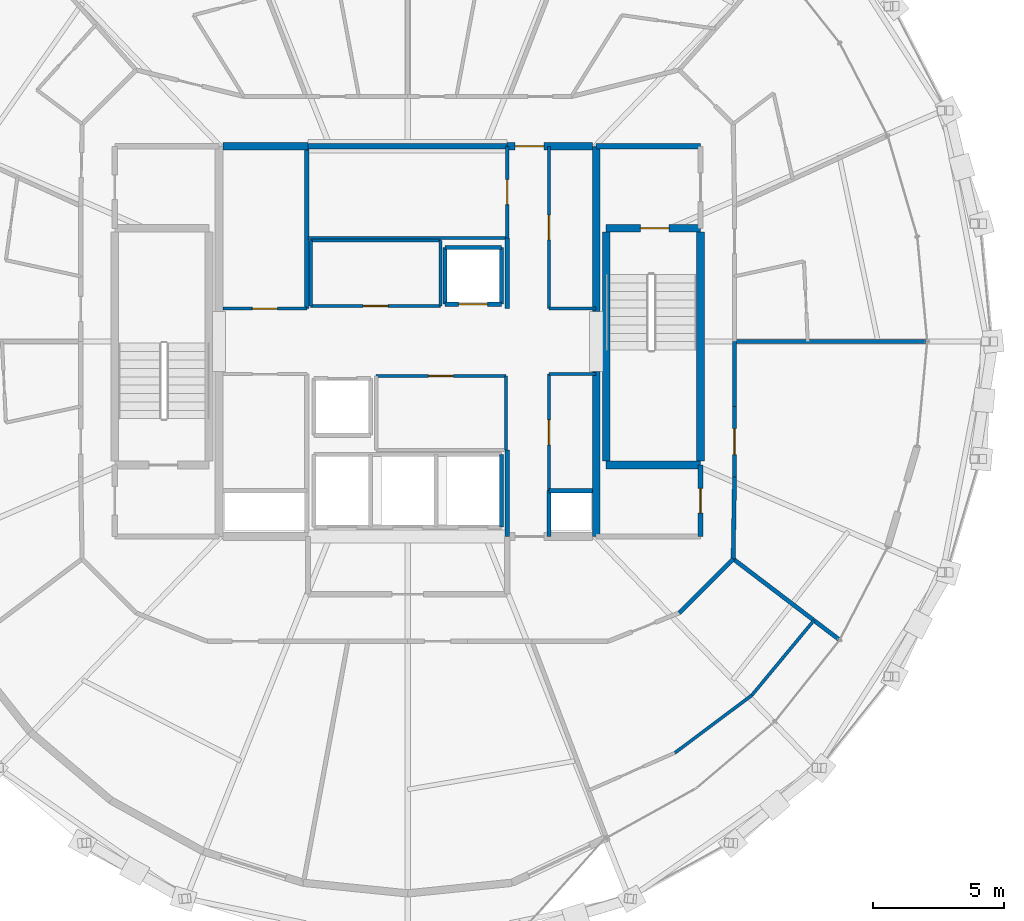
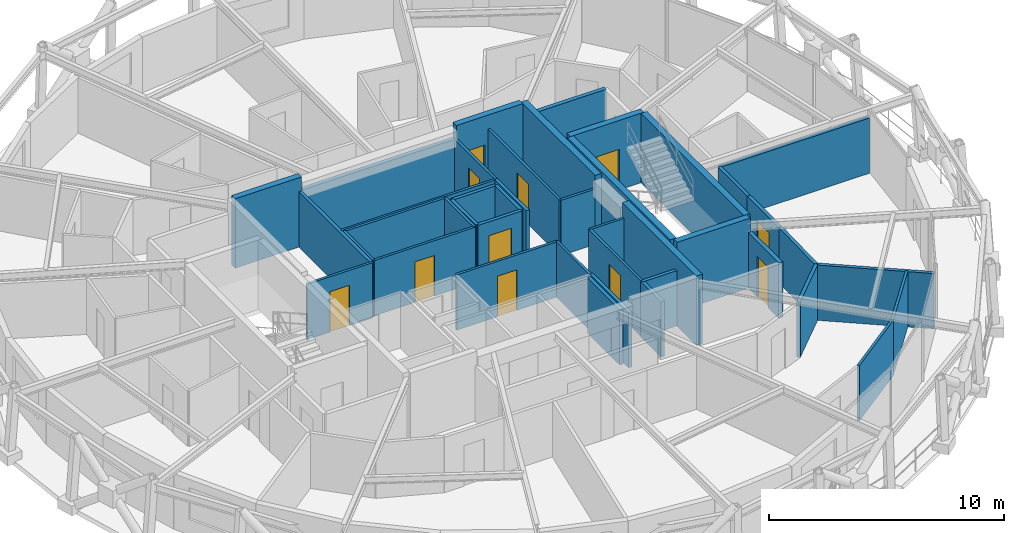
# One storey, part 12 of 15: 42 walls, 11 doors, 11 openings.
"""IFC4 building model written with IfcOpenShell, lengths in metres."""

import ifcopenshell
import ifcopenshell.guid

model = None  # the IFC model being written
_history = None  # IfcOwnerHistory: only IFC2X3 demands one
_inside = {}  # id of a spatial element -> (the spatial element, [elements in it])
_under = {}  # id of a project, library or spatial element -> (it, [spatial elements below it])
_declared = {}  # id of a project -> (the project, [libraries it declares])
_typed = {}  # id of a type object -> (the type object, [elements of that type])
_made_of = {}  # id of a material, layer set ... -> (it, [elements and type objects made of it])


def new_model(schema):
    """Start an empty IFC model of exactly this schema.

    Asked for "IFC4X3", IfcOpenShell would pick the latest addendum, in which some entities
    have other attributes; the version numbers below select the first issue.
    IFC2X3 requires an IfcOwnerHistory on every rooted entity: one is made here for all.
    """
    global model, _history
    if schema == "IFC4X3":
        model = ifcopenshell.file(schema_version=(4, 3, 0, 0))
    else:
        model = ifcopenshell.file(schema=schema)
    _inside.clear()
    _under.clear()
    _declared.clear()
    _typed.clear()
    _made_of.clear()
    _history = None
    if model.schema == "IFC2X3":
        org = make("IfcOrganization", Name="unknown")
        user = make(
            "IfcPersonAndOrganization",
            ThePerson=make("IfcPerson", FamilyName="unknown"),
            TheOrganization=org,
        )
        app = make(
            "IfcApplication",
            ApplicationDeveloper=org,
            Version="unknown",
            ApplicationFullName="unknown",
            ApplicationIdentifier="unknown",
        )
        _history = make(
            "IfcOwnerHistory",
            OwningUser=user,
            OwningApplication=app,
            ChangeAction="ADDED",
            CreationDate=0,
        )
    return model


def make(cls, **values):
    """One entity of the class cls with the attributes given. An attribute that is None is left unset."""
    return model.create_entity(
        cls, **{name: value for name, value in values.items() if value is not None}
    )


def rooted(cls, **values):
    """An entity with a GlobalId (a new one), such as an element, a storey or a relation."""
    return make(cls, GlobalId=ifcopenshell.guid.new(), OwnerHistory=_history, **values)


def si_unit(unit_type, name, prefix=None):
    """IfcSIUnit, for example si_unit("LENGTHUNIT", "METRE", prefix="MILLI")."""
    return make("IfcSIUnit", UnitType=unit_type, Prefix=prefix, Name=name)


def assignment(units):
    """IfcUnitAssignment: the units of a project."""
    return None if units is None else make("IfcUnitAssignment", Units=units)


def point(xyz):
    """IfcCartesianPoint."""
    return None if xyz is None else make("IfcCartesianPoint", Coordinates=xyz)


def direction(xyz):
    """IfcDirection."""
    return None if xyz is None else make("IfcDirection", DirectionRatios=xyz)


def frame(location, z_axis=None, x_axis=None):
    """IfcAxis2Placement3D, a coordinate frame: its origin and axes. An axis left out is left unset."""
    return make(
        "IfcAxis2Placement3D",
        Location=point(location),
        Axis=direction(z_axis),
        RefDirection=direction(x_axis),
    )


def frame_2d(location, x_axis=None):
    """IfcAxis2Placement2D, a coordinate frame in the plane: its origin and x axis."""
    return make(
        "IfcAxis2Placement2D", Location=point(location), RefDirection=direction(x_axis)
    )


def origin():
    """The frame at (0, 0, 0) with its axes left unset."""
    return frame((0.0, 0.0, 0.0))


def place(relative_to, where):
    """IfcLocalPlacement: puts the frame where relative to a parent placement (None: the world)."""
    return make(
        "IfcLocalPlacement", PlacementRelTo=relative_to, RelativePlacement=where
    )


def context(
    kind, dimensions, precision=None, world=None, true_north=None, identifier=None
):
    """IfcGeometricRepresentationContext, for example the 3D "Model" context."""
    return make(
        "IfcGeometricRepresentationContext",
        ContextIdentifier=identifier,
        ContextType=kind,
        CoordinateSpaceDimension=dimensions,
        Precision=precision,
        WorldCoordinateSystem=world,
        TrueNorth=true_north,
    )


def subcontext(parent, identifier, kind, view, scale=None):
    """IfcGeometricRepresentationSubContext, for example "Body" below "Model"."""
    return make(
        "IfcGeometricRepresentationSubContext",
        ContextIdentifier=identifier,
        ContextType=kind,
        ParentContext=parent,
        TargetScale=scale,
        TargetView=view,
    )


def project(units=None, contexts=None):
    """IfcProject with its units and contexts."""
    return rooted(
        "IfcProject",
        Name="project",
        RepresentationContexts=contexts,
        UnitsInContext=assignment(units),
    )


def spatial(cls, under=None, at=None, **own):
    """A site, building, storey or space (cls), placed at a placement, below another one or the project."""
    s = rooted(cls, ObjectPlacement=at, **own)
    if under is not None:
        _under.setdefault(under.id(), (under, []))[1].append(s)
    return s


def profile(cls, at=None, kind="AREA", **sizes):
    """A parametric profile (cls). Its sizes go by their IFC names, for example OverallWidth=200.0."""
    return make(cls, ProfileType=kind, Position=at, **sizes)


def rectangle(**sizes):
    """IfcRectangleProfileDef."""
    return profile("IfcRectangleProfileDef", **sizes)


def extrude(swept, where, along, depth):
    """IfcExtrudedAreaSolid: the profile swept, set in the frame where, extruded along a direction by depth."""
    return make(
        "IfcExtrudedAreaSolid",
        SweptArea=swept,
        Position=where,
        ExtrudedDirection=direction(along),
        Depth=depth,
    )


def shape(context_of_items, identifier, shape_type, items):
    """IfcShapeRepresentation: the items that make up one representation, for example the "Body"."""
    return make(
        "IfcShapeRepresentation",
        ContextOfItems=context_of_items,
        RepresentationIdentifier=identifier,
        RepresentationType=shape_type,
        Items=items,
    )


def material(Name=None, Category=None):
    """IfcMaterial."""
    return make("IfcMaterial", Name=Name, Category=Category)


def layer(
    of_material, thickness, ventilated=None, Name=None, Category=None, Priority=None
):
    """IfcMaterialLayer: one layer of a wall or slab, of a material (None: an air gap)."""
    return make(
        "IfcMaterialLayer",
        Material=of_material,
        LayerThickness=thickness,
        IsVentilated=ventilated,
        Name=Name,
        Category=Category,
        Priority=Priority,
    )


def layer_set(layers, Name=None):
    """IfcMaterialLayerSet."""
    return make("IfcMaterialLayerSet", MaterialLayers=layers, LayerSetName=Name)


def made_of(thing, what):
    """Note that an element or type object is made of a material, layer set ...; save() writes the relation."""
    if what is not None:
        _made_of.setdefault(what.id(), (what, []))[1].append(thing)
    return thing


def type_object(cls, material=None, **own):
    """A type object (cls), such as IfcWallType, which elements share."""
    return made_of(rooted(cls, **own), material)


def element(
    cls,
    number,
    at=None,
    inside=None,
    cuts=None,
    type_object=None,
    material=None,
    context=None,
    identifier="Body",
    shape_type=None,
    held_by="IfcProductDefinitionShape",
    body=None,
    shapes=None,
    **own,
):
    """One element of the class cls, such as IfcWall. Its Tag is "e" and its number.

    at: its placement. inside: the storey or other place that contains it. cuts: it is an
    opening in that element (IfcRelVoidsElement). A single representation is given by context,
    identifier, shape_type and body (its items); several are given by shapes. held_by: the class
    of the entity that holds the representations. save() writes the other relations.
    """
    e = rooted(cls, Tag="e%d" % number, ObjectPlacement=at, **own)
    if body is not None:
        shapes = [shape(context, identifier, shape_type, body)]
    if shapes is not None:
        e.Representation = make(held_by, Representations=shapes)
    if inside is not None:
        _inside.setdefault(inside.id(), (inside, []))[1].append(e)
    if cuts is not None:
        rooted(
            "IfcRelVoidsElement", RelatingBuildingElement=cuts, RelatedOpeningElement=e
        )
    if type_object is not None:
        _typed.setdefault(type_object.id(), (type_object, []))[1].append(e)
    return made_of(e, material)


def fill(opening, filler):
    """IfcRelFillsElement: the door or window that sits in an opening."""
    return rooted(
        "IfcRelFillsElement",
        RelatingOpeningElement=opening,
        RelatedBuildingElement=filler,
    )


def aggregate(whole, parts):
    """IfcRelAggregates: a whole, such as a stair, and the parts it consists of."""
    return rooted("IfcRelAggregates", RelatingObject=whole, RelatedObjects=parts)


def save(model, path):
    """Write the relations noted so far, then the file.

    IfcRelAggregates (storeys below a building ...), IfcRelContainedInSpatialStructure (elements
    in a storey), IfcRelDefinesByType, IfcRelAssociatesMaterial and IfcRelDeclares: one each for
    every whole, place, type object, material and project.
    """
    for whole, parts in _under.values():
        aggregate(whole, parts)
    for where, things in _inside.values():
        rooted(
            "IfcRelContainedInSpatialStructure",
            RelatedElements=things,
            RelatingStructure=where,
        )
    for kind, things in _typed.values():
        rooted("IfcRelDefinesByType", RelatedObjects=things, RelatingType=kind)
    for what, things in _made_of.values():
        rooted("IfcRelAssociatesMaterial", RelatedObjects=things, RelatingMaterial=what)
    for by, libraries in _declared.values():
        rooted("IfcRelDeclares", RelatingContext=by, RelatedDefinitions=libraries)
    model.write(path)


model = new_model("IFC4")

# Units and contexts
model_context = context("Model", 3, precision=1e-05, world=origin(), true_north=direction((0.0, 1.0)))
body_context = subcontext(model_context, "Body", "Model", "MODEL_VIEW")
ifc_project = project(units=[si_unit("LENGTHUNIT", "METRE"), si_unit("AREAUNIT", "SQUARE_METRE"), si_unit("VOLUMEUNIT", "CUBIC_METRE"), si_unit("PLANEANGLEUNIT", "RADIAN"), si_unit("MASSUNIT", "GRAM", prefix="KILO")], contexts=[model_context])

# Site, building, storey
site_placement = place(None, origin())
site = spatial("IfcSite", under=ifc_project, at=site_placement, CompositionType="ELEMENT")
building_placement = place(site_placement, origin())
building = spatial("IfcBuilding", under=site, at=building_placement, Name="Veldorina Hangang Commons", CompositionType="ELEMENT")
storey_placement = place(building_placement, frame((0.0, 0.0, 258.0)))
storey = spatial("IfcBuildingStorey", under=building, at=storey_placement, Name="L67", CompositionType="ELEMENT", Elevation=258.0)

# Walls
ifc_material_1 = material(Name="Concrete C50/60", Category="concrete")
ifc_layer_1 = layer(ifc_material_1, 0.300048828125)
ifc_layer_set_1 = layer_set([ifc_layer_1], Name="Concrete C50/60")
wall_type_1 = type_object("IfcWallType", Name="CW-RC300-C50", PredefinedType="SHEAR", material=ifc_layer_set_1)
for number, where, z_axis, x_axis, name in (
    (1, (39.199951171875, 16.550048828125, 0.0), (0.0, 0.0, 1.0), (0.0, 1.0, 0.0), "L67 E south core shear wall"),
    (2, (39.199951171875, 25.14990234375, 0.0), (0.0, 0.0, 1.0), (0.0, 1.0, 0.0), "L67 E north core shear wall"),
):
    element("IfcWall", number, at=place(storey_placement, frame(where, z_axis=z_axis, x_axis=x_axis)), inside=storey, type_object=wall_type_1, Name=name, PredefinedType="SHEAR", context=body_context, shape_type="SweptSolid", body=[
        extrude(rectangle(XDim=6.300048828125, YDim=0.300048828125, at=frame_2d((3.14990234375, 0.0))), origin(), (0.0, 0.0, 1.0), 3.60009765625),
    ])
wall_1_placement = place(storey_placement, frame((24.949951171875, 31.449951171875, 0.0), z_axis=(0.0, 0.0, 1.0), x_axis=(1.0, 0.0, 0.0)))
element("IfcWall", 3, at=wall_1_placement, inside=storey, type_object=wall_type_1, Name="L67 north-west core shear wall", PredefinedType="SHEAR", context=body_context, shape_type="SweptSolid", body=[
    extrude(rectangle(XDim=3.25, YDim=0.300048828125, at=frame_2d((1.625, 0.0))), origin(), (0.0, 0.0, 1.0), 3.60009765625),
])

# Wall, opening, door
wall_2_placement = place(storey_placement, frame((35.800048828125, 31.449951171875, 0.0), z_axis=(0.0, 0.0, 1.0), x_axis=(1.0, 0.0, 0.0)))
wall_2 = element("IfcWall", 4, at=wall_2_placement, inside=storey, type_object=wall_type_1, Name="L67 north-east core shear wall", PredefinedType="SHEAR", context=body_context, shape_type="SweptSolid", body=[
    extrude(rectangle(XDim=3.25, YDim=0.300048828125, at=frame_2d((1.625, 0.0))), origin(), (0.0, 0.0, 1.0), 3.60009765625),
])
opening_1_placement = place(wall_2_placement, frame((0.300048828125, 0.0, 0.0)))
opening_1 = element("IfcOpeningElement", 5, at=opening_1_placement, cuts=wall_2, Name="Opening D-08", PredefinedType="OPENING", context=body_context, shape_type="SweptSolid", body=[
    extrude(rectangle(XDim=1.10009765625, YDim=2.10009765625, at=frame_2d((0.550048828125, 1.050048828125))), frame((0.0, 0.16015625, 0.0), z_axis=(0.0, -1.0, 0.0), x_axis=(1.0, 0.0, 0.0)), (0.0, 0.0, 1.0), 0.320068359375),
])
ifc_material_2 = material(Name="Steel Fire-Rated Smoke Seal", Category="steel")
door_type_1 = type_object("IfcDoorType", Name="DR-FIRE-1100", OperationType="SINGLE_SWING_RIGHT", PredefinedType="DOOR", material=ifc_material_2)
door_1_placement = place(opening_1_placement, origin())
door_1 = element("IfcDoor", 6, at=door_1_placement, inside=storey, type_object=door_type_1, Name="L67 central lift lobby north corridor door", OperationType="SINGLE_SWING_LEFT", OverallHeight=2.10009765625, OverallWidth=1.10009765625, PredefinedType="DOOR", context=body_context, shape_type="SweptSolid", body=[
    extrude(rectangle(XDim=1.10009765625, YDim=2.10009765625, at=frame_2d((0.550048828125, 1.050048828125))), frame((0.0, 0.02490234375, 0.0), z_axis=(0.0, -1.0, 0.0), x_axis=(1.0, 0.0, 0.0)), (0.0, 0.0, 1.0), 0.050048828125),
])
fill(opening_1, door_1)

# Walls
ifc_layer_2 = layer(ifc_material_1, 0.300048828125)
ifc_layer_set_2 = layer_set([ifc_layer_2], Name="Concrete C50/60")
wall_type_2 = type_object("IfcWallType", Name="SW-STAIR-300", PredefinedType="SHEAR", material=ifc_layer_set_2)
for number, where, z_axis, x_axis, name in (
    (7, (43.179931640625, 19.429931640625, 0.0), (0.0, 0.0, 1.0), (0.0, 1.0, 0.0), "L67 ST2 outer stair shear wall"),
    (8, (39.580078125, 19.429931640625, 0.0), (0.0, 0.0, 1.0), (0.0, 1.0, 0.0), "L67 ST2 inner stair shear wall"),
):
    element("IfcWall", number, at=place(storey_placement, frame(where, z_axis=z_axis, x_axis=x_axis)), inside=storey, type_object=wall_type_2, Name=name, PredefinedType="SHEAR", context=body_context, shape_type="SweptSolid", body=[
        extrude(rectangle(XDim=8.739990234375, YDim=0.300048828125, at=frame_2d((4.3701171875, 0.0))), origin(), (0.0, 0.0, 1.0), 3.60009765625),
    ])
wall_3_placement = place(storey_placement, frame((39.580078125, 19.280029296875, 0.0), z_axis=(0.0, 0.0, 1.0), x_axis=(1.0, 0.0, 0.0)))
element("IfcWall", 9, at=wall_3_placement, inside=storey, type_object=wall_type_2, Name="L67 ST2 south stair shear wall", PredefinedType="SHEAR", context=body_context, shape_type="SweptSolid", body=[
    extrude(rectangle(XDim=3.599853515625, YDim=0.300048828125, at=frame_2d((1.7998046875, 0.0))), origin(), (0.0, 0.0, 1.0), 3.60009765625),
])

# Wall, opening, door
wall_4_placement = place(storey_placement, frame((39.580078125, 28.320068359375, 0.0), z_axis=(0.0, 0.0, 1.0), x_axis=(1.0, 0.0, 0.0)))
wall_4 = element("IfcWall", 10, at=wall_4_placement, inside=storey, type_object=wall_type_2, Name="L67 ST2 north stair shear wall", PredefinedType="SHEAR", context=body_context, shape_type="SweptSolid", body=[
    extrude(rectangle(XDim=3.599853515625, YDim=0.300048828125, at=frame_2d((1.7998046875, 0.0))), origin(), (0.0, 0.0, 1.0), 3.60009765625),
])
opening_2_placement = place(wall_4_placement, frame((1.300048828125, 0.0, 0.0)))
opening_2 = element("IfcOpeningElement", 11, at=opening_2_placement, cuts=wall_4, Name="Opening D-08", PredefinedType="OPENING", context=body_context, shape_type="SweptSolid", body=[
    extrude(rectangle(XDim=1.10009765625, YDim=2.10009765625, at=frame_2d((0.550048828125, 1.050048828125))), frame((0.0, 0.16015625, 0.0), z_axis=(0.0, -1.0, 0.0), x_axis=(1.0, 0.0, 0.0)), (0.0, 0.0, 1.0), 0.320068359375),
])
door_2_placement = place(opening_2_placement, origin())
door_2 = element("IfcDoor", 12, at=door_2_placement, inside=storey, type_object=door_type_1, Name="L67 Special Escape Stair ST-2 door", OperationType="SINGLE_SWING_RIGHT", OverallHeight=2.10009765625, OverallWidth=1.10009765625, PredefinedType="DOOR", context=body_context, shape_type="SweptSolid", body=[
    extrude(rectangle(XDim=1.10009765625, YDim=2.10009765625, at=frame_2d((0.550048828125, 1.050048828125))), frame((0.0, 0.02490234375, 0.0), z_axis=(0.0, -1.0, 0.0), x_axis=(1.0, 0.0, 0.0)), (0.0, 0.0, 1.0), 0.050048828125),
])
fill(opening_2, door_2)

# Walls
ifc_material_3 = material(Name="Gypsum Fire-Rated Twin Stud Wall", Category="gypsum")
ifc_layer_3 = layer(ifc_material_3, 0.159912109375)
ifc_layer_set_3 = layer_set([ifc_layer_3], Name="Gypsum Fire-Rated Twin Stud Wall")
wall_type_3 = type_object("IfcWallType", Name="WL-FIRE-160", PredefinedType="SOLIDWALL", material=ifc_layer_set_3)
wall_5_placement = place(storey_placement, frame((35.800048828125, 16.550048828125, 0.0), z_axis=(0.0, 0.0, 1.0), x_axis=(0.0, 1.0, 0.0)))
element("IfcWall", 13, at=wall_5_placement, inside=storey, type_object=wall_type_3, Name="L67 Lift passage SW wall 009", PredefinedType="SOLIDWALL", context=body_context, shape_type="SweptSolid", body=[
    extrude(rectangle(XDim=3.300048828125, YDim=0.159912109375, at=frame_2d((1.64990234375, 0.0))), origin(), (0.0, 0.0, 1.0), 2.8701171875),
])
wall_6_placement = place(storey_placement, frame((37.39990234375, 16.550048828125, 0.0), z_axis=(0.0, 0.0, 1.0), x_axis=(0.0, 1.0, 0.0)))
element("IfcWall", 14, at=wall_6_placement, inside=storey, type_object=wall_type_3, Name="L67 Lift passage SE stub 010", PredefinedType="SOLIDWALL", context=body_context, shape_type="SweptSolid", body=[
    extrude(rectangle(XDim=1.75, YDim=0.159912109375, at=frame_2d((0.875, 0.0))), origin(), (0.0, 0.0, 1.0), 2.8701171875),
])
wall_7_placement = place(storey_placement, frame((35.800048828125, 25.25, 0.0), z_axis=(0.0, 0.0, 1.0), x_axis=(0.0, 1.0, 0.0)))
element("IfcWall", 15, at=wall_7_placement, inside=storey, type_object=wall_type_3, Name="L67 Lift passage NW lower wall 011", PredefinedType="SOLIDWALL", context=body_context, shape_type="SweptSolid", body=[
    extrude(rectangle(XDim=2.699951171875, YDim=0.159912109375, at=frame_2d((1.35009765625, 0.0))), origin(), (0.0, 0.0, 1.0), 2.8701171875),
])

# Wall, opening, door
wall_8_placement = place(storey_placement, frame((33.419921875, 25.419921875, 0.0), z_axis=(0.0, 0.0, 1.0), x_axis=(1.0, 0.0, 0.0)))
wall_8 = element("IfcWall", 16, at=wall_8_placement, inside=storey, type_object=wall_type_3, Name="L67 Mid-high front shaft wall 015", PredefinedType="SOLIDWALL", context=body_context, shape_type="SweptSolid", body=[
    extrude(rectangle(XDim=2.16015625, YDim=0.159912109375, at=frame_2d((1.080078125, 0.0))), origin(), (0.0, 0.0, 1.0), 2.8701171875),
])
opening_3_placement = place(wall_8_placement, frame((0.530029296875, 0.0, 0.0)))
opening_3 = element("IfcOpeningElement", 17, at=opening_3_placement, cuts=wall_8, Name="Opening LD-01", PredefinedType="OPENING", context=body_context, shape_type="SweptSolid", body=[
    extrude(rectangle(XDim=1.10009765625, YDim=2.14990234375, at=frame_2d((0.550048828125, 1.074951171875))), frame((0.0, 0.08984375, 0.0), z_axis=(0.0, -1.0, 0.0), x_axis=(1.0, 0.0, 0.0)), (0.0, 0.0, 1.0), 0.179931640625),
])
ifc_material_4 = material(Name="Stainless Steel Brushed Lift Door", Category="steel")
door_type_2 = type_object("IfcDoorType", Name="DR-LIFT-1100", OperationType="SLIDING_TO_LEFT", PredefinedType="DOOR", material=ifc_material_4)
door_3_placement = place(opening_3_placement, origin())
door_3 = element("IfcDoor", 18, at=door_3_placement, inside=storey, type_object=door_type_2, Name="L67 Lift PL-H1 landing door 006", OperationType="SLIDING_TO_RIGHT", OverallHeight=2.14990234375, OverallWidth=1.10009765625, PredefinedType="DOOR", context=body_context, shape_type="SweptSolid", body=[
    extrude(rectangle(XDim=1.10009765625, YDim=2.14990234375, at=frame_2d((0.550048828125, 1.074951171875))), frame((0.0, 0.02490234375, 0.0), z_axis=(0.0, -1.0, 0.0), x_axis=(1.0, 0.0, 0.0)), (0.0, 0.0, 1.0), 0.050048828125),
])
fill(opening_3, door_3)

# Walls
for number, where, z_axis, x_axis, name in (
    (19, (33.419921875, 27.580078125, 0.0), (0.0, 0.0, 1.0), (1.0, 0.0, 0.0), "L67 Mid-high rear shaft wall 016"),
    (20, (33.419921875, 25.419921875, 0.0), (0.0, 0.0, 1.0), (0.0, 1.0, 0.0), "L67 PL-H1 west shaft wall 017"),
    (21, (35.580078125, 25.419921875, 0.0), (0.0, 0.0, 1.0), (0.0, 1.0, 0.0), "L67 PL-H1 east shaft wall 018"),
):
    element("IfcWall", number, at=place(storey_placement, frame(where, z_axis=z_axis, x_axis=x_axis)), inside=storey, type_object=wall_type_3, Name=name, PredefinedType="SOLIDWALL", context=body_context, shape_type="SweptSolid", body=[
        extrude(rectangle(XDim=2.16015625, YDim=0.159912109375, at=frame_2d((1.080078125, 0.0))), origin(), (0.0, 0.0, 1.0), 2.8701171875),
    ])
wall_9_placement = place(storey_placement, frame((35.580078125, 16.919921875, 0.0), z_axis=(0.0, 0.0, 1.0), x_axis=(0.0, 1.0, 0.0)))
element("IfcWall", 22, at=wall_9_placement, inside=storey, type_object=wall_type_3, Name="L67 EVL-1 east shaft wall 028", PredefinedType="SOLIDWALL", context=body_context, shape_type="SweptSolid", body=[
    extrude(rectangle(XDim=2.760009765625, YDim=0.159912109375, at=frame_2d((1.3798828125, 0.0))), origin(), (0.0, 0.0, 1.0), 2.8701171875),
])
wall_10_placement = place(storey_placement, frame((37.39990234375, 18.300048828125, 0.0), z_axis=(0.0, 0.0, 1.0), x_axis=(1.0, 0.0, 0.0)))
element("IfcWall", 23, at=wall_10_placement, inside=storey, type_object=wall_type_3, Name="L67 Plumbing riser wall 042", PredefinedType="SOLIDWALL", context=body_context, shape_type="SweptSolid", body=[
    extrude(rectangle(XDim=1.650146484375, YDim=0.159912109375, at=frame_2d((0.8251953125, 0.0))), origin(), (0.0, 0.0, 1.0), 2.8701171875),
])
wall_11_placement = place(storey_placement, frame((28.14990234375, 25.25, 0.0), z_axis=(0.0, 0.0, 1.0), x_axis=(0.0, 1.0, 0.0)))
element("IfcWall", 24, at=wall_11_placement, inside=storey, type_object=wall_type_3, Name="L67 NW core inner wall 043", PredefinedType="SOLIDWALL", context=body_context, shape_type="SweptSolid", body=[
    extrude(rectangle(XDim=6.10009765625, YDim=0.159912109375, at=frame_2d((3.050048828125, 0.0))), origin(), (0.0, 0.0, 1.0), 2.8701171875),
])
wall_12_placement = place(storey_placement, frame((42.364990234375, 13.635009765625, 0.0), z_axis=(0.0, 0.0, 1.0), x_axis=(0.707106781187, 0.707106781187, 0.0)))
element("IfcWall", 25, at=wall_12_placement, inside=storey, type_object=wall_type_3, Name="L67 Compact collar outer wall 28 078", PredefinedType="SOLIDWALL", context=body_context, shape_type="SweptSolid", body=[
    extrude(rectangle(XDim=2.915771484375, YDim=0.159912109375, at=frame_2d((1.4580078125, 0.0))), origin(), (0.0, 0.0, 1.0), 2.8701171875),
])
wall_13_placement = place(storey_placement, frame((44.4267578125, 15.69677734375, 0.0), z_axis=(0.0, 0.0, 1.0), x_axis=(0.016981035134, 0.999855811828, 0.0)))
element("IfcWall", 26, at=wall_13_placement, inside=storey, type_object=wall_type_3, Name="L67 Compact collar outer wall 29 079", PredefinedType="SOLIDWALL", context=body_context, shape_type="SweptSolid", body=[
    extrude(rectangle(XDim=3.13427734375, YDim=0.159912109375, at=frame_2d((1.567138671875, 0.0))), origin(), (0.0, 0.0, 1.0), 2.8701171875),
])

# Wall, opening, door
wall_14_placement = place(storey_placement, frame((44.47998046875, 18.83056640625, 0.0), z_axis=(0.0, 0.0, 1.0), x_axis=(0.0, 1.0, 0.0)))
wall_14 = element("IfcWall", 27, at=wall_14_placement, inside=storey, type_object=wall_type_3, Name="L67 Compact collar outer wall 30 080", PredefinedType="SOLIDWALL", context=body_context, shape_type="SweptSolid", body=[
    extrude(rectangle(XDim=2.68701171875, YDim=0.159912109375, at=frame_2d((1.343505859375, 0.0))), origin(), (0.0, 0.0, 1.0), 2.8701171875),
])
opening_4_placement = place(wall_14_placement, frame((0.843505859375, 0.0, 0.0)))
opening_4 = element("IfcOpeningElement", 28, at=opening_4_placement, cuts=wall_14, Name="Opening D-05", PredefinedType="OPENING", context=body_context, shape_type="SweptSolid", body=[
    extrude(rectangle(XDim=1.0, YDim=2.10009765625, at=frame_2d((0.5, 1.050048828125))), frame((0.0, 0.08984375, 0.0), z_axis=(0.0, -1.0, 0.0), x_axis=(1.0, 0.0, 0.0)), (0.0, 0.0, 1.0), 0.179931640625),
])
ifc_material_5 = material(Name="Timber Solid Core Acoustic", Category="wood")
door_type_3 = type_object("IfcDoorType", Name="DR-INT-1000", OperationType="SINGLE_SWING_RIGHT", PredefinedType="DOOR", material=ifc_material_5)
door_4_placement = place(opening_4_placement, origin())
door_4 = element("IfcDoor", 29, at=door_4_placement, inside=storey, type_object=door_type_3, Name="L67 Sky-Garden Commons Lounge door 018", OperationType="SINGLE_SWING_RIGHT", OverallHeight=2.10009765625, OverallWidth=1.0, PredefinedType="DOOR", context=body_context, shape_type="SweptSolid", body=[
    extrude(rectangle(XDim=1.0, YDim=2.10009765625, at=frame_2d((0.5, 1.050048828125))), frame((0.0, 0.02490234375, 0.0), z_axis=(0.0, -1.0, 0.0), x_axis=(1.0, 0.0, 0.0)), (0.0, 0.0, 1.0), 0.050048828125),
])
fill(opening_4, door_4)

# Walls
wall_15_placement = place(storey_placement, frame((44.47998046875, 21.517578125, 0.0), z_axis=(0.0, 0.0, 1.0), x_axis=(0.0, 1.0, 0.0)))
element("IfcWall", 30, at=wall_15_placement, inside=storey, type_object=wall_type_3, Name="L67 Compact collar outer wall 31 081", PredefinedType="SOLIDWALL", context=body_context, shape_type="SweptSolid", body=[
    extrude(rectangle(XDim=2.482421875, YDim=0.159912109375, at=frame_2d((1.2412109375, 0.0))), origin(), (0.0, 0.0, 1.0), 2.8701171875),
])
wall_16_placement = place(storey_placement, frame((44.4267578125, 15.69677734375, 0.0), z_axis=(0.0, 0.0, 1.0), x_axis=(0.795704263552, -0.605685334943, 0.0)))
element("IfcWall", 31, at=wall_16_placement, inside=storey, type_object=wall_type_3, Name="L67 Unit party wall 29 082", PredefinedType="SOLIDWALL", context=body_context, shape_type="SweptSolid", body=[
    extrude(rectangle(XDim=5.05712890625, YDim=0.159912109375, at=frame_2d((2.528564453125, 0.0))), origin(), (0.0, 0.0, 1.0), 2.8701171875),
])
wall_17_placement = place(storey_placement, frame((44.47998046875, 24.0, 0.0), z_axis=(0.0, 0.0, 1.0), x_axis=(1.0, 0.0, 0.0)))
element("IfcWall", 32, at=wall_17_placement, inside=storey, type_object=wall_type_3, Name="L67 Unit party wall 00 083", PredefinedType="SOLIDWALL", context=body_context, shape_type="SweptSolid", body=[
    extrude(rectangle(XDim=7.302734375, YDim=0.159912109375, at=frame_2d((3.6513671875, 0.0))), origin(), (0.0, 0.0, 1.0), 2.8701171875),
])
ifc_material_6 = material(Name="Concrete Blockwork Fire Wall C30/37", Category="masonry")
ifc_layer_4 = layer(ifc_material_6, 0.199951171875)
ifc_layer_set_4 = layer_set([ifc_layer_4], Name="Concrete Blockwork Fire Wall C30/37")
wall_type_4 = type_object("IfcWallType", Name="WL-FIRE-200", PredefinedType="SOLIDWALL", material=ifc_layer_set_4)
wall_18_placement = place(storey_placement, frame((39.199951171875, 31.449951171875, 0.0), z_axis=(0.0, 0.0, 1.0), x_axis=(1.0, 0.0, 0.0)))
element("IfcWall", 33, at=wall_18_placement, inside=storey, type_object=wall_type_4, Name="L67 East vestibule north wall 004", PredefinedType="SOLIDWALL", context=body_context, shape_type="SweptSolid", body=[
    extrude(rectangle(XDim=3.97998046875, YDim=0.199951171875, at=frame_2d((1.989990234375, 0.0))), origin(), (0.0, 0.0, 1.0), 2.8701171875),
])

# Wall, opening, door
wall_19_placement = place(storey_placement, frame((43.179931640625, 16.550048828125, 0.0), z_axis=(0.0, 0.0, 1.0), x_axis=(0.0, 1.0, 0.0)))
wall_19 = element("IfcWall", 34, at=wall_19_placement, inside=storey, type_object=wall_type_4, Name="L67 SE core room outer wall 007", PredefinedType="SOLIDWALL", context=body_context, shape_type="SweptSolid", body=[
    extrude(rectangle(XDim=2.72998046875, YDim=0.199951171875, at=frame_2d((1.364990234375, 0.0))), origin(), (0.0, 0.0, 1.0), 2.8701171875),
])
opening_5_placement = place(wall_19_placement, frame((0.889892578125, 0.0, 0.0)))
opening_5 = element("IfcOpeningElement", 35, at=opening_5_placement, cuts=wall_19, Name="Opening D-02", PredefinedType="OPENING", context=body_context, shape_type="SweptSolid", body=[
    extrude(rectangle(XDim=0.949951171875, YDim=2.10009765625, at=frame_2d((0.47509765625, 1.050048828125))), frame((0.0, 0.10986328125, 0.0), z_axis=(0.0, -1.0, 0.0), x_axis=(1.0, 0.0, 0.0)), (0.0, 0.0, 1.0), 0.219970703125),
])
door_type_4 = type_object("IfcDoorType", Name="DR-INT-950", OperationType="SINGLE_SWING_LEFT", PredefinedType="DOOR", material=ifc_material_5)
door_5_placement = place(opening_5_placement, origin())
door_5 = element("IfcDoor", 36, at=door_5_placement, inside=storey, type_object=door_type_4, Name="L67 SE core WC door 004", OperationType="SINGLE_SWING_RIGHT", OverallHeight=2.10009765625, OverallWidth=0.949951171875, PredefinedType="DOOR", context=body_context, shape_type="SweptSolid", body=[
    extrude(rectangle(XDim=0.949951171875, YDim=2.10009765625, at=frame_2d((0.47509765625, 1.050048828125))), frame((0.0, 0.02490234375, 0.0), z_axis=(0.0, -1.0, 0.0), x_axis=(1.0, 0.0, 0.0)), (0.0, 0.0, 1.0), 0.050048828125),
])
fill(opening_5, door_5)

# Walls
wall_20_placement = place(storey_placement, frame((28.199951171875, 31.449951171875, 0.0), z_axis=(0.0, 0.0, 1.0), x_axis=(1.0, 0.0, 0.0)))
element("IfcWall", 37, at=wall_20_placement, inside=storey, type_object=wall_type_4, Name="L67 Merged north core wall 029", PredefinedType="SOLIDWALL", context=body_context, shape_type="SweptSolid", body=[
    extrude(rectangle(XDim=7.60009765625, YDim=0.199951171875, at=frame_2d((3.800048828125, 0.0))), origin(), (0.0, 0.0, 1.0), 2.8701171875),
])
ifc_material_7 = material(Name="Gypsum Acoustic Stud Partition", Category="gypsum")
ifc_layer_5 = layer(ifc_material_7, 0.1201171875)
ifc_layer_set_5 = layer_set([ifc_layer_5], Name="Gypsum Acoustic Stud Partition")
wall_type_5 = type_object("IfcWallType", Name="WL-PART-120", PredefinedType="PARTITIONING", material=ifc_layer_set_5)
wall_21_placement = place(storey_placement, frame((28.199951171875, 27.949951171875, 0.0), z_axis=(0.0, 0.0, 1.0), x_axis=(1.0, 0.0, 0.0)))
element("IfcWall", 38, at=wall_21_placement, inside=storey, type_object=wall_type_5, Name="L67 Merged north south wall 030", PredefinedType="PARTITIONING", context=body_context, shape_type="SweptSolid", body=[
    extrude(rectangle(XDim=7.60009765625, YDim=0.1201171875, at=frame_2d((3.800048828125, 0.0))), origin(), (0.0, 0.0, 1.0), 2.8701171875),
])

# Wall, opening, door
wall_22_placement = place(storey_placement, frame((35.800048828125, 27.949951171875, 0.0), z_axis=(0.0, 0.0, 1.0), x_axis=(0.0, 1.0, 0.0)))
wall_22 = element("IfcWall", 39, at=wall_22_placement, inside=storey, type_object=wall_type_5, Name="L67 Merged north east wall 031", PredefinedType="PARTITIONING", context=body_context, shape_type="SweptSolid", body=[
    extrude(rectangle(XDim=3.5, YDim=0.1201171875, at=frame_2d((1.75, 0.0))), origin(), (0.0, 0.0, 1.0), 2.8701171875),
])
opening_6_placement = place(wall_22_placement, frame((1.27490234375, 0.0, 0.0)))
opening_6 = element("IfcOpeningElement", 40, at=opening_6_placement, cuts=wall_22, Name="Opening D-02", PredefinedType="OPENING", context=body_context, shape_type="SweptSolid", body=[
    extrude(rectangle(XDim=0.949951171875, YDim=2.10009765625, at=frame_2d((0.47509765625, 1.050048828125))), frame((0.0, 0.070068359375, 0.0), z_axis=(0.0, -1.0, 0.0), x_axis=(1.0, 0.0, 0.0)), (0.0, 0.0, 1.0), 0.14013671875),
])
door_6_placement = place(opening_6_placement, origin())
door_6 = element("IfcDoor", 41, at=door_6_placement, inside=storey, type_object=door_type_4, Name="L67 Merged north room lobby door 011", OperationType="SINGLE_SWING_LEFT", OverallHeight=2.10009765625, OverallWidth=0.949951171875, PredefinedType="DOOR", context=body_context, shape_type="SweptSolid", body=[
    extrude(rectangle(XDim=0.949951171875, YDim=2.10009765625, at=frame_2d((0.47509765625, 1.050048828125))), frame((0.0, 0.02490234375, 0.0), z_axis=(0.0, -1.0, 0.0), x_axis=(1.0, 0.0, 0.0)), (0.0, 0.0, 1.0), 0.050048828125),
])
fill(opening_6, door_6)

wall_23_placement = place(storey_placement, frame((28.300048828125, 25.35009765625, 0.0), z_axis=(0.0, 0.0, 1.0), x_axis=(1.0, 0.0, 0.0)))
wall_23 = element("IfcWall", 42, at=wall_23_placement, inside=storey, type_object=wall_type_5, Name="L67 Merged mid-bank south wall 032", PredefinedType="PARTITIONING", context=body_context, shape_type="SweptSolid", body=[
    extrude(rectangle(XDim=4.949951171875, YDim=0.1201171875, at=frame_2d((2.47509765625, 0.0))), origin(), (0.0, 0.0, 1.0), 2.8701171875),
])
opening_7_placement = place(wall_23_placement, frame((2.0, 0.0, 0.0)))
opening_7 = element("IfcOpeningElement", 43, at=opening_7_placement, cuts=wall_23, Name="Opening D-02", PredefinedType="OPENING", context=body_context, shape_type="SweptSolid", body=[
    extrude(rectangle(XDim=0.949951171875, YDim=2.10009765625, at=frame_2d((0.47509765625, 1.050048828125))), frame((0.0, 0.070068359375, 0.0), z_axis=(0.0, -1.0, 0.0), x_axis=(1.0, 0.0, 0.0)), (0.0, 0.0, 1.0), 0.14013671875),
])
door_7_placement = place(opening_7_placement, origin())
door_7 = element("IfcDoor", 44, at=door_7_placement, inside=storey, type_object=door_type_4, Name="L67 Quiet study room door 012", OperationType="SINGLE_SWING_RIGHT", OverallHeight=2.10009765625, OverallWidth=0.949951171875, PredefinedType="DOOR", context=body_context, shape_type="SweptSolid", body=[
    extrude(rectangle(XDim=0.949951171875, YDim=2.10009765625, at=frame_2d((0.47509765625, 1.050048828125))), frame((0.0, 0.02490234375, 0.0), z_axis=(0.0, -1.0, 0.0), x_axis=(1.0, 0.0, 0.0)), (0.0, 0.0, 1.0), 0.050048828125),
])
fill(opening_7, door_7)

# Walls
wall_24_placement = place(storey_placement, frame((28.300048828125, 27.85009765625, 0.0), z_axis=(0.0, 0.0, 1.0), x_axis=(1.0, 0.0, 0.0)))
element("IfcWall", 45, at=wall_24_placement, inside=storey, type_object=wall_type_5, Name="L67 Merged mid-bank north wall 033", PredefinedType="PARTITIONING", context=body_context, shape_type="SweptSolid", body=[
    extrude(rectangle(XDim=4.949951171875, YDim=0.1201171875, at=frame_2d((2.47509765625, 0.0))), origin(), (0.0, 0.0, 1.0), 2.8701171875),
])
for number, where, z_axis, x_axis, name in (
    (46, (28.300048828125, 25.35009765625, 0.0), (0.0, 0.0, 1.0), (0.0, 1.0, 0.0), "L67 Merged mid-bank west wall 034"),
    (47, (33.25, 25.35009765625, 0.0), (0.0, 0.0, 1.0), (0.0, 1.0, 0.0), "L67 Merged mid-bank east wall 035"),
):
    element("IfcWall", number, at=place(storey_placement, frame(where, z_axis=z_axis, x_axis=x_axis)), inside=storey, type_object=wall_type_5, Name=name, PredefinedType="PARTITIONING", context=body_context, shape_type="SweptSolid", body=[
        extrude(rectangle(XDim=2.5, YDim=0.1201171875, at=frame_2d((1.25, 0.0))), origin(), (0.0, 0.0, 1.0), 2.8701171875),
    ])

# Wall, opening, door
wall_25_placement = place(storey_placement, frame((30.800048828125, 22.679931640625, 0.0), z_axis=(0.0, 0.0, 1.0), x_axis=(1.0, 0.0, 0.0)))
wall_25 = element("IfcWall", 48, at=wall_25_placement, inside=storey, type_object=wall_type_5, Name="L67 Merged shuttle north wall 036", PredefinedType="PARTITIONING", context=body_context, shape_type="SweptSolid", body=[
    extrude(rectangle(XDim=4.949951171875, YDim=0.1201171875, at=frame_2d((2.47509765625, 0.0))), origin(), (0.0, 0.0, 1.0), 2.8701171875),
])
opening_8_placement = place(wall_25_placement, frame((2.0, 0.0, 0.0)))
opening_8 = element("IfcOpeningElement", 49, at=opening_8_placement, cuts=wall_25, Name="Opening D-02", PredefinedType="OPENING", context=body_context, shape_type="SweptSolid", body=[
    extrude(rectangle(XDim=0.949951171875, YDim=2.10009765625, at=frame_2d((0.47509765625, 1.050048828125))), frame((0.0, 0.070068359375, 0.0), z_axis=(0.0, -1.0, 0.0), x_axis=(1.0, 0.0, 0.0)), (0.0, 0.0, 1.0), 0.14013671875),
])
door_8_placement = place(opening_8_placement, origin())
door_8 = element("IfcDoor", 50, at=door_8_placement, inside=storey, type_object=door_type_4, Name="L67 Floor tea pantry door 013", OperationType="SINGLE_SWING_LEFT", OverallHeight=2.10009765625, OverallWidth=0.949951171875, PredefinedType="DOOR", context=body_context, shape_type="SweptSolid", body=[
    extrude(rectangle(XDim=0.949951171875, YDim=2.10009765625, at=frame_2d((0.47509765625, 1.050048828125))), frame((0.0, 0.02490234375, 0.0), z_axis=(0.0, -1.0, 0.0), x_axis=(1.0, 0.0, 0.0)), (0.0, 0.0, 1.0), 0.050048828125),
])
fill(opening_8, door_8)

# Wall
wall_26_placement = place(storey_placement, frame((35.75, 19.85009765625, 0.0), z_axis=(0.0, 0.0, 1.0), x_axis=(0.0, 1.0, 0.0)))
element("IfcWall", 51, at=wall_26_placement, inside=storey, type_object=wall_type_5, Name="L67 Merged shuttle east wall 039", PredefinedType="PARTITIONING", context=body_context, shape_type="SweptSolid", body=[
    extrude(rectangle(XDim=2.829833984375, YDim=0.1201171875, at=frame_2d((1.4150390625, 0.0))), origin(), (0.0, 0.0, 1.0), 2.8701171875),
])

# Wall, opening, door
wall_27_placement = place(storey_placement, frame((24.949951171875, 25.25, 0.0), z_axis=(0.0, 0.0, 1.0), x_axis=(1.0, 0.0, 0.0)))
wall_27 = element("IfcWall", 52, at=wall_27_placement, inside=storey, type_object=wall_type_5, Name="L67 NW service south wall 044", PredefinedType="PARTITIONING", context=body_context, shape_type="SweptSolid", body=[
    extrude(rectangle(XDim=3.199951171875, YDim=0.1201171875, at=frame_2d((1.60009765625, 0.0))), origin(), (0.0, 0.0, 1.0), 2.8701171875),
])
opening_9_placement = place(wall_27_placement, frame((1.125, 0.0, 0.0)))
opening_9 = element("IfcOpeningElement", 53, at=opening_9_placement, cuts=wall_27, Name="Opening D-02", PredefinedType="OPENING", context=body_context, shape_type="SweptSolid", body=[
    extrude(rectangle(XDim=0.949951171875, YDim=2.10009765625, at=frame_2d((0.47509765625, 1.050048828125))), frame((0.0, 0.070068359375, 0.0), z_axis=(0.0, -1.0, 0.0), x_axis=(1.0, 0.0, 0.0)), (0.0, 0.0, 1.0), 0.14013671875),
])
door_9_placement = place(opening_9_placement, origin())
door_9 = element("IfcDoor", 54, at=door_9_placement, inside=storey, type_object=door_type_4, Name="L67 Housekeeping store door 014", OperationType="SINGLE_SWING_RIGHT", OverallHeight=2.10009765625, OverallWidth=0.949951171875, PredefinedType="DOOR", context=body_context, shape_type="SweptSolid", body=[
    extrude(rectangle(XDim=0.949951171875, YDim=2.10009765625, at=frame_2d((0.47509765625, 1.050048828125))), frame((0.0, 0.02490234375, 0.0), z_axis=(0.0, -1.0, 0.0), x_axis=(1.0, 0.0, 0.0)), (0.0, 0.0, 1.0), 0.050048828125),
])
fill(opening_9, door_9)

wall_28_placement = place(storey_placement, frame((37.39990234375, 25.25, 0.0), z_axis=(0.0, 0.0, 1.0), x_axis=(0.0, 1.0, 0.0)))
wall_28 = element("IfcWall", 55, at=wall_28_placement, inside=storey, type_object=wall_type_5, Name="L67 NE strip lobby wall 046", PredefinedType="PARTITIONING", context=body_context, shape_type="SweptSolid", body=[
    extrude(rectangle(XDim=6.199951171875, YDim=0.1201171875, at=frame_2d((3.10009765625, 0.0))), origin(), (0.0, 0.0, 1.0), 2.8701171875),
])
opening_10_placement = place(wall_28_placement, frame((2.625, 0.0, 0.0)))
opening_10 = element("IfcOpeningElement", 56, at=opening_10_placement, cuts=wall_28, Name="Opening D-02", PredefinedType="OPENING", context=body_context, shape_type="SweptSolid", body=[
    extrude(rectangle(XDim=0.949951171875, YDim=2.10009765625, at=frame_2d((0.47509765625, 1.050048828125))), frame((0.0, 0.070068359375, 0.0), z_axis=(0.0, -1.0, 0.0), x_axis=(1.0, 0.0, 0.0)), (0.0, 0.0, 1.0), 0.14013671875),
])
door_10_placement = place(opening_10_placement, origin())
door_10 = element("IfcDoor", 57, at=door_10_placement, inside=storey, type_object=door_type_4, Name="L67 Comms room door 016", OperationType="SINGLE_SWING_RIGHT", OverallHeight=2.10009765625, OverallWidth=0.949951171875, PredefinedType="DOOR", context=body_context, shape_type="SweptSolid", body=[
    extrude(rectangle(XDim=0.949951171875, YDim=2.10009765625, at=frame_2d((0.47509765625, 1.050048828125))), frame((0.0, 0.02490234375, 0.0), z_axis=(0.0, -1.0, 0.0), x_axis=(1.0, 0.0, 0.0)), (0.0, 0.0, 1.0), 0.050048828125),
])
fill(opening_10, door_10)

# Wall
wall_29_placement = place(storey_placement, frame((37.39990234375, 25.25, 0.0), z_axis=(0.0, 0.0, 1.0), x_axis=(1.0, 0.0, 0.0)))
element("IfcWall", 58, at=wall_29_placement, inside=storey, type_object=wall_type_5, Name="L67 NE strip south return wall 047", PredefinedType="PARTITIONING", context=body_context, shape_type="SweptSolid", body=[
    extrude(rectangle(XDim=1.800048828125, YDim=0.1201171875, at=frame_2d((0.89990234375, 0.0))), origin(), (0.0, 0.0, 1.0), 2.8701171875),
])

# Wall, opening, door
wall_30_placement = place(storey_placement, frame((37.39990234375, 18.300048828125, 0.0), z_axis=(0.0, 0.0, 1.0), x_axis=(0.0, 1.0, 0.0)))
wall_30 = element("IfcWall", 59, at=wall_30_placement, inside=storey, type_object=wall_type_5, Name="L67 SE strip lobby wall 048", PredefinedType="PARTITIONING", context=body_context, shape_type="SweptSolid", body=[
    extrude(rectangle(XDim=4.449951171875, YDim=0.1201171875, at=frame_2d((2.22509765625, 0.0))), origin(), (0.0, 0.0, 1.0), 2.8701171875),
])
opening_11_placement = place(wall_30_placement, frame((1.75, 0.0, 0.0)))
opening_11 = element("IfcOpeningElement", 60, at=opening_11_placement, cuts=wall_30, Name="Opening D-02", PredefinedType="OPENING", context=body_context, shape_type="SweptSolid", body=[
    extrude(rectangle(XDim=0.949951171875, YDim=2.10009765625, at=frame_2d((0.47509765625, 1.050048828125))), frame((0.0, 0.070068359375, 0.0), z_axis=(0.0, -1.0, 0.0), x_axis=(1.0, 0.0, 0.0)), (0.0, 0.0, 1.0), 0.14013671875),
])
door_11_placement = place(opening_11_placement, origin())
door_11 = element("IfcDoor", 61, at=door_11_placement, inside=storey, type_object=door_type_4, Name="L67 BMS closet door 017", OperationType="SINGLE_SWING_LEFT", OverallHeight=2.10009765625, OverallWidth=0.949951171875, PredefinedType="DOOR", context=body_context, shape_type="SweptSolid", body=[
    extrude(rectangle(XDim=0.949951171875, YDim=2.10009765625, at=frame_2d((0.47509765625, 1.050048828125))), frame((0.0, 0.02490234375, 0.0), z_axis=(0.0, -1.0, 0.0), x_axis=(1.0, 0.0, 0.0)), (0.0, 0.0, 1.0), 0.050048828125),
])
fill(opening_11, door_11)

# Walls
wall_31_placement = place(storey_placement, frame((37.39990234375, 22.75, 0.0), z_axis=(0.0, 0.0, 1.0), x_axis=(1.0, 0.0, 0.0)))
element("IfcWall", 62, at=wall_31_placement, inside=storey, type_object=wall_type_5, Name="L67 SE strip north return wall 049", PredefinedType="PARTITIONING", context=body_context, shape_type="SweptSolid", body=[
    extrude(rectangle(XDim=1.800048828125, YDim=0.1201171875, at=frame_2d((0.89990234375, 0.0))), origin(), (0.0, 0.0, 1.0), 2.8701171875),
])
wall_32_placement = place(storey_placement, frame((42.206298828125, 8.295654296875, 0.0), z_axis=(0.0, 0.0, 1.0), x_axis=(0.800519042287, 0.599307319274, 0.0)))
element("IfcWall", 63, at=wall_32_placement, inside=storey, type_object=wall_type_5, Name="L67 Laundry split 1 114", PredefinedType="PARTITIONING", context=body_context, shape_type="SweptSolid", body=[
    extrude(rectangle(XDim=3.666748046875, YDim=0.1201171875, at=frame_2d((1.83349609375, 0.0))), origin(), (0.0, 0.0, 1.0), 2.8701171875),
])
wall_33_placement = place(storey_placement, frame((45.1416015625, 10.4931640625, 0.0), z_axis=(0.0, 0.0, 1.0), x_axis=(0.638390065539, 0.769713014195, 0.0)))
element("IfcWall", 64, at=wall_33_placement, inside=storey, type_object=wall_type_5, Name="L67 Laundry split 2 115", PredefinedType="PARTITIONING", context=body_context, shape_type="SweptSolid", body=[
    extrude(rectangle(XDim=3.710693359375, YDim=0.1201171875, at=frame_2d((1.85546875, 0.0))), origin(), (0.0, 0.0, 1.0), 2.8701171875),
])

save(model, "model.ifc")
